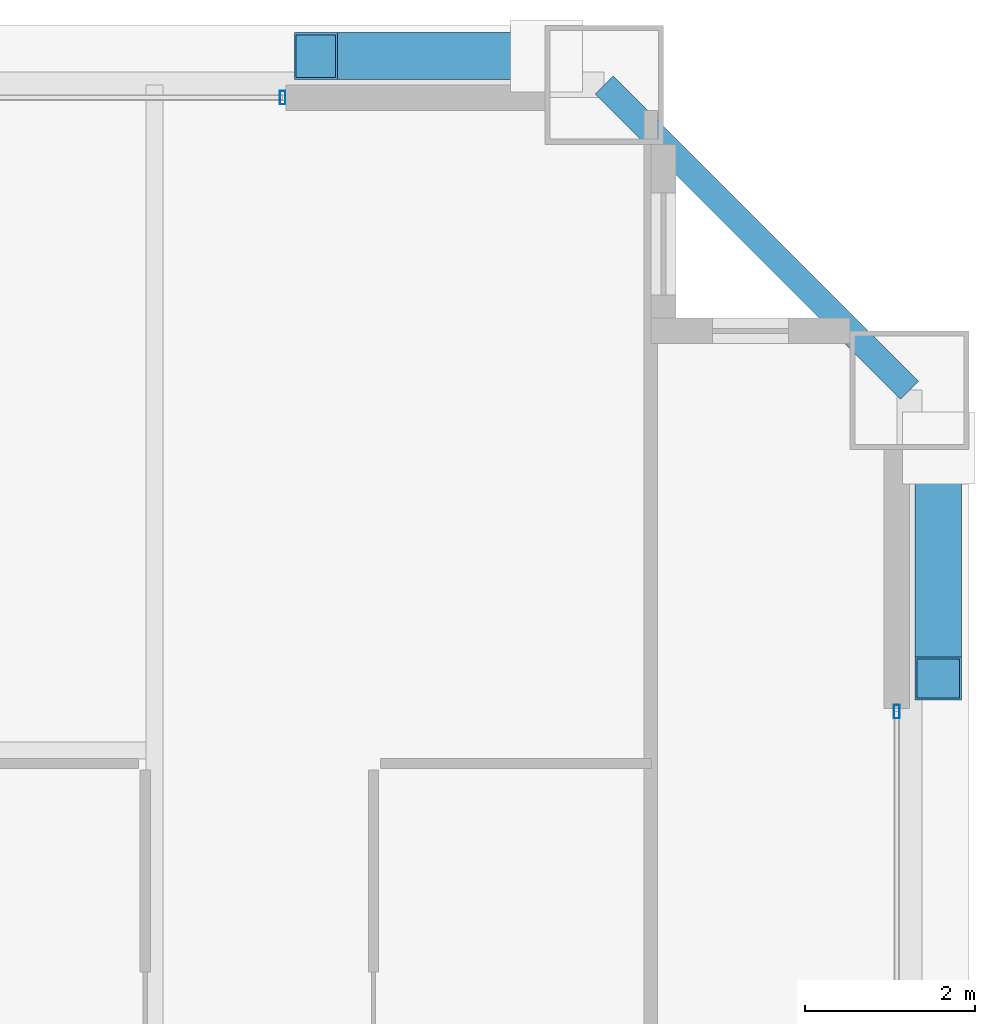
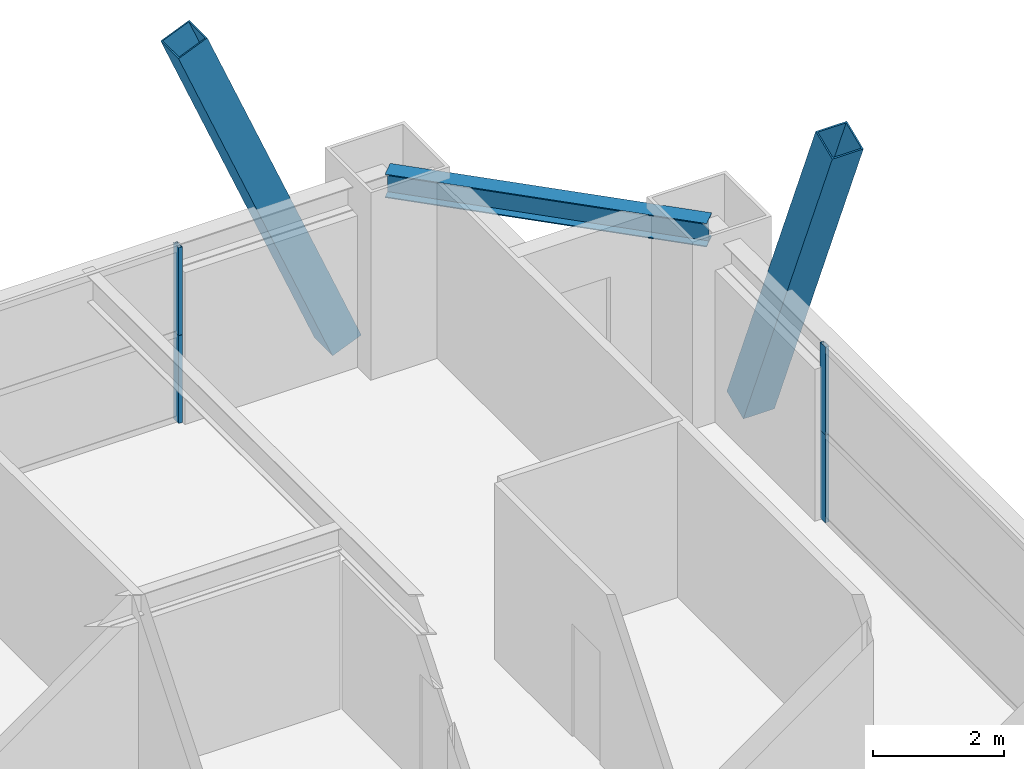
# One storey, part 35 of 42: 6 members, 1 beam, 2 elements without a shape of their own.
"""IFC4 building model written with IfcOpenShell, lengths in metres."""

import ifcopenshell
import ifcopenshell.guid

model = None  # the IFC model being written
_history = None  # IfcOwnerHistory: only IFC2X3 demands one
_inside = {}  # id of a spatial element -> (the spatial element, [elements in it])
_under = {}  # id of a project, library or spatial element -> (it, [spatial elements below it])
_declared = {}  # id of a project -> (the project, [libraries it declares])
_typed = {}  # id of a type object -> (the type object, [elements of that type])
_made_of = {}  # id of a material, layer set ... -> (it, [elements and type objects made of it])


def new_model(schema):
    """Start an empty IFC model of exactly this schema.

    Asked for "IFC4X3", IfcOpenShell would pick the latest addendum, in which some entities
    have other attributes; the version numbers below select the first issue.
    IFC2X3 requires an IfcOwnerHistory on every rooted entity: one is made here for all.
    """
    global model, _history
    if schema == "IFC4X3":
        model = ifcopenshell.file(schema_version=(4, 3, 0, 0))
    else:
        model = ifcopenshell.file(schema=schema)
    _inside.clear()
    _under.clear()
    _declared.clear()
    _typed.clear()
    _made_of.clear()
    _history = None
    if model.schema == "IFC2X3":
        org = make("IfcOrganization", Name="unknown")
        user = make(
            "IfcPersonAndOrganization",
            ThePerson=make("IfcPerson", FamilyName="unknown"),
            TheOrganization=org,
        )
        app = make(
            "IfcApplication",
            ApplicationDeveloper=org,
            Version="unknown",
            ApplicationFullName="unknown",
            ApplicationIdentifier="unknown",
        )
        _history = make(
            "IfcOwnerHistory",
            OwningUser=user,
            OwningApplication=app,
            ChangeAction="ADDED",
            CreationDate=0,
        )
    return model


def make(cls, **values):
    """One entity of the class cls with the attributes given. An attribute that is None is left unset."""
    return model.create_entity(
        cls, **{name: value for name, value in values.items() if value is not None}
    )


def rooted(cls, **values):
    """An entity with a GlobalId (a new one), such as an element, a storey or a relation."""
    return make(cls, GlobalId=ifcopenshell.guid.new(), OwnerHistory=_history, **values)


def si_unit(unit_type, name, prefix=None):
    """IfcSIUnit, for example si_unit("LENGTHUNIT", "METRE", prefix="MILLI")."""
    return make("IfcSIUnit", UnitType=unit_type, Prefix=prefix, Name=name)


def assignment(units):
    """IfcUnitAssignment: the units of a project."""
    return None if units is None else make("IfcUnitAssignment", Units=units)


def point(xyz):
    """IfcCartesianPoint."""
    return None if xyz is None else make("IfcCartesianPoint", Coordinates=xyz)


def direction(xyz):
    """IfcDirection."""
    return None if xyz is None else make("IfcDirection", DirectionRatios=xyz)


def frame(location, z_axis=None, x_axis=None):
    """IfcAxis2Placement3D, a coordinate frame: its origin and axes. An axis left out is left unset."""
    return make(
        "IfcAxis2Placement3D",
        Location=point(location),
        Axis=direction(z_axis),
        RefDirection=direction(x_axis),
    )


def frame_2d(location, x_axis=None):
    """IfcAxis2Placement2D, a coordinate frame in the plane: its origin and x axis."""
    return make(
        "IfcAxis2Placement2D", Location=point(location), RefDirection=direction(x_axis)
    )


def origin():
    """The frame at (0, 0, 0) with its axes left unset."""
    return frame((0.0, 0.0, 0.0))


def origin_2d():
    """The frame at (0, 0) in the plane with its x axis left unset."""
    return frame_2d((0.0, 0.0))


def place(relative_to, where):
    """IfcLocalPlacement: puts the frame where relative to a parent placement (None: the world)."""
    return make(
        "IfcLocalPlacement", PlacementRelTo=relative_to, RelativePlacement=where
    )


def context(
    kind, dimensions, precision=None, world=None, true_north=None, identifier=None
):
    """IfcGeometricRepresentationContext, for example the 3D "Model" context."""
    return make(
        "IfcGeometricRepresentationContext",
        ContextIdentifier=identifier,
        ContextType=kind,
        CoordinateSpaceDimension=dimensions,
        Precision=precision,
        WorldCoordinateSystem=world,
        TrueNorth=true_north,
    )


def subcontext(parent, identifier, kind, view, scale=None):
    """IfcGeometricRepresentationSubContext, for example "Body" below "Model"."""
    return make(
        "IfcGeometricRepresentationSubContext",
        ContextIdentifier=identifier,
        ContextType=kind,
        ParentContext=parent,
        TargetScale=scale,
        TargetView=view,
    )


def project(units=None, contexts=None):
    """IfcProject with its units and contexts."""
    return rooted(
        "IfcProject",
        Name="project",
        RepresentationContexts=contexts,
        UnitsInContext=assignment(units),
    )


def spatial(cls, under=None, at=None, **own):
    """A site, building, storey or space (cls), placed at a placement, below another one or the project."""
    s = rooted(cls, ObjectPlacement=at, **own)
    if under is not None:
        _under.setdefault(under.id(), (under, []))[1].append(s)
    return s


def profile(cls, at=None, kind="AREA", **sizes):
    """A parametric profile (cls). Its sizes go by their IFC names, for example OverallWidth=200.0."""
    return make(cls, ProfileType=kind, Position=at, **sizes)


def hollow_rectangle(**sizes):
    """IfcRectangleHollowProfileDef."""
    return profile("IfcRectangleHollowProfileDef", **sizes)


def i_section(**sizes):
    """IfcIShapeProfileDef."""
    return profile("IfcIShapeProfileDef", **sizes)


def extrude(swept, where, along, depth):
    """IfcExtrudedAreaSolid: the profile swept, set in the frame where, extruded along a direction by depth."""
    return make(
        "IfcExtrudedAreaSolid",
        SweptArea=swept,
        Position=where,
        ExtrudedDirection=direction(along),
        Depth=depth,
    )


def shape(context_of_items, identifier, shape_type, items):
    """IfcShapeRepresentation: the items that make up one representation, for example the "Body"."""
    return make(
        "IfcShapeRepresentation",
        ContextOfItems=context_of_items,
        RepresentationIdentifier=identifier,
        RepresentationType=shape_type,
        Items=items,
    )


def source(mapping_origin, context_of_items, identifier, shape_type, items):
    """IfcRepresentationMap: a shape defined once, which mapped items show again and again."""
    return make(
        "IfcRepresentationMap",
        MappingOrigin=mapping_origin,
        MappedRepresentation=shape(context_of_items, identifier, shape_type, items),
    )


def transform(
    local_origin,
    x_axis=None,
    y_axis=None,
    z_axis=None,
    scale=None,
    scale2=None,
    scale3=None,
    uniform=True,
):
    """IfcCartesianTransformationOperator3D, or its non-uniform kind. x_axis, y_axis, z_axis: its Axis1, 2, 3."""
    if uniform:
        return make(
            "IfcCartesianTransformationOperator3D",
            Axis1=direction(x_axis),
            Axis2=direction(y_axis),
            LocalOrigin=point(local_origin),
            Scale=scale,
            Axis3=direction(z_axis),
        )
    return make(
        "IfcCartesianTransformationOperator3DnonUniform",
        Axis1=direction(x_axis),
        Axis2=direction(y_axis),
        LocalOrigin=point(local_origin),
        Scale=scale,
        Axis3=direction(z_axis),
        Scale2=scale2,
        Scale3=scale3,
    )


def mapped(mapping_source, mapping_target):
    """IfcMappedItem: shows the shape of a source again, moved by a transform."""
    return make(
        "IfcMappedItem", MappingSource=mapping_source, MappingTarget=mapping_target
    )


def material(Name=None, Category=None):
    """IfcMaterial."""
    return make("IfcMaterial", Name=Name, Category=Category)


def layer(
    of_material, thickness, ventilated=None, Name=None, Category=None, Priority=None
):
    """IfcMaterialLayer: one layer of a wall or slab, of a material (None: an air gap)."""
    return make(
        "IfcMaterialLayer",
        Material=of_material,
        LayerThickness=thickness,
        IsVentilated=ventilated,
        Name=Name,
        Category=Category,
        Priority=Priority,
    )


def layer_set(layers, Name=None):
    """IfcMaterialLayerSet."""
    return make("IfcMaterialLayerSet", MaterialLayers=layers, LayerSetName=Name)


def material_profile(
    of_material, cross_section, Name=None, Category=None, Priority=None
):
    """IfcMaterialProfile: a cross section and its material."""
    return make(
        "IfcMaterialProfile",
        Name=Name,
        Material=of_material,
        Profile=cross_section,
        Priority=Priority,
        Category=Category,
    )


def profile_set(profiles, Name=None, composite=None):
    """IfcMaterialProfileSet."""
    return make(
        "IfcMaterialProfileSet",
        Name=Name,
        MaterialProfiles=profiles,
        CompositeProfile=composite,
    )


def made_of(thing, what):
    """Note that an element or type object is made of a material, layer set ...; save() writes the relation."""
    if what is not None:
        _made_of.setdefault(what.id(), (what, []))[1].append(thing)
    return thing


def type_object(cls, material=None, **own):
    """A type object (cls), such as IfcWallType, which elements share."""
    return made_of(rooted(cls, **own), material)


def element(
    cls,
    number,
    at=None,
    inside=None,
    cuts=None,
    type_object=None,
    material=None,
    context=None,
    identifier="Body",
    shape_type=None,
    held_by="IfcProductDefinitionShape",
    body=None,
    shapes=None,
    **own,
):
    """One element of the class cls, such as IfcWall. Its Tag is "e" and its number.

    at: its placement. inside: the storey or other place that contains it. cuts: it is an
    opening in that element (IfcRelVoidsElement). A single representation is given by context,
    identifier, shape_type and body (its items); several are given by shapes. held_by: the class
    of the entity that holds the representations. save() writes the other relations.
    """
    e = rooted(cls, Tag="e%d" % number, ObjectPlacement=at, **own)
    if body is not None:
        shapes = [shape(context, identifier, shape_type, body)]
    if shapes is not None:
        e.Representation = make(held_by, Representations=shapes)
    if inside is not None:
        _inside.setdefault(inside.id(), (inside, []))[1].append(e)
    if cuts is not None:
        rooted(
            "IfcRelVoidsElement", RelatingBuildingElement=cuts, RelatedOpeningElement=e
        )
    if type_object is not None:
        _typed.setdefault(type_object.id(), (type_object, []))[1].append(e)
    return made_of(e, material)


def aggregate(whole, parts):
    """IfcRelAggregates: a whole, such as a stair, and the parts it consists of."""
    return rooted("IfcRelAggregates", RelatingObject=whole, RelatedObjects=parts)


def save(model, path):
    """Write the relations noted so far, then the file.

    IfcRelAggregates (storeys below a building ...), IfcRelContainedInSpatialStructure (elements
    in a storey), IfcRelDefinesByType, IfcRelAssociatesMaterial and IfcRelDeclares: one each for
    every whole, place, type object, material and project.
    """
    for whole, parts in _under.values():
        aggregate(whole, parts)
    for where, things in _inside.values():
        rooted(
            "IfcRelContainedInSpatialStructure",
            RelatedElements=things,
            RelatingStructure=where,
        )
    for kind, things in _typed.values():
        rooted("IfcRelDefinesByType", RelatedObjects=things, RelatingType=kind)
    for what, things in _made_of.values():
        rooted("IfcRelAssociatesMaterial", RelatedObjects=things, RelatingMaterial=what)
    for by, libraries in _declared.values():
        rooted("IfcRelDeclares", RelatingContext=by, RelatedDefinitions=libraries)
    model.write(path)


model = new_model("IFC4")

# Units and contexts
model_context = context("Model", 3, precision=1e-05, world=origin(), true_north=direction((0.0, 1.0)))
body_context = subcontext(model_context, "Body", "Model", "MODEL_VIEW")
ifc_project = project(units=[si_unit("LENGTHUNIT", "METRE"), si_unit("AREAUNIT", "SQUARE_METRE"), si_unit("VOLUMEUNIT", "CUBIC_METRE"), si_unit("PLANEANGLEUNIT", "RADIAN"), si_unit("MASSUNIT", "GRAM", prefix="KILO"), si_unit("THERMODYNAMICTEMPERATUREUNIT", "KELVIN"), si_unit("POWERUNIT", "WATT")], contexts=[model_context])

# Site, building, storey
site_placement = place(None, origin())
site = spatial("IfcSite", under=ifc_project, at=site_placement, CompositionType="ELEMENT")
building_placement = place(site_placement, origin())
building = spatial("IfcBuilding", under=site, at=building_placement, Name="Yuzanri Waterfront Tower", CompositionType="ELEMENT")
storey_placement = place(building_placement, frame((0.0, 0.0, 184.5)))
storey = spatial("IfcBuildingStorey", under=building, at=storey_placement, Name="L48", CompositionType="ELEMENT", Elevation=184.5)

# Beam
ifc_material_1 = material(Name="Steel Q355B", Category="steel")
ifc_material_profile_1 = material_profile(ifc_material_1, i_section(OverallWidth=0.300048828125, OverallDepth=0.43994140625, WebThickness=0.010986328125, FlangeThickness=0.01806640625, at=origin_2d()), Name="HM 440x300x11x18")
ifc_profile_set_1 = profile_set([ifc_material_profile_1], Name="Steel Q355B")
beam_type = type_object("IfcBeamType", Name="Perimeter Spandrel Q355B HM 440x300", PredefinedType="SPANDREL", material=ifc_profile_set_1)
shared_shape_1 = source(origin(), body_context, "Body", "SweptSolid", [
    extrude(i_section(OverallWidth=0.300048828125, OverallDepth=0.43994140625, WebThickness=0.010986328125, FlangeThickness=0.01806640625, at=origin_2d()), origin(), (0.0, 0.0, 1.0), 5.091064453125),
])
beam_placement = place(storey_placement, frame((59.10009765625, 44.300048828125, 3.06005859375), z_axis=(-0.707130757816, 0.707082803744, 0.0), x_axis=(-0.707082803744, -0.707130757816, 0.0)))
element("IfcBeam", 1, at=beam_placement, inside=storey, type_object=beam_type, Name="L48 Perimeter Spandrel E3-N3", PredefinedType="SPANDREL", context=body_context, shape_type="MappedRepresentation", body=[
    mapped(shared_shape_1, transform((0.0, 0.0, 0.0), scale=1.0)),
])

# Members
ifc_material_2 = material(Name="Steel Q390GJC", Category="steel")
ifc_material_profile_2 = material_profile(ifc_material_2, hollow_rectangle(XDim=0.550048828125, YDim=0.550048828125, WallThickness=0.02490234375, at=origin_2d()), Name="RHS 550x550x25")
ifc_profile_set_2 = profile_set([ifc_material_profile_2], Name="Steel Q390GJC")
member_type_1 = type_object("IfcMemberType", Name="Mega Brace Mid Q390GJC RHS 550x550x25", PredefinedType="BRACE", material=ifc_profile_set_2)
shared_shape_2 = source(origin(), body_context, "Body", "SweptSolid", [
    extrude(hollow_rectangle(XDim=0.550048828125, YDim=0.550048828125, WallThickness=0.02490234375, at=origin_2d()), origin(), (0.0, 0.0, 1.0), 7.046142578125),
])
for number, where, z_axis, x_axis, name in (
    (2, (54.820068359375, 48.239990234375, 0.179931640625), (-0.386022211732, 0.0, 0.922489486146), (0.0, -1.0, 0.0), "L48-L49 Perimeter Mega-Brace N-R"),
    (3, (59.43994140625, 43.6201171875, 0.179931640625), (0.0, -0.386051696808, 0.922477147355), (1.0, 0.0, 0.0), "L48-L49 Perimeter Mega-Brace E-R"),
):
    element("IfcMember", number, at=place(storey_placement, frame(where, z_axis=z_axis, x_axis=x_axis)), inside=storey, type_object=member_type_1, Name=name, PredefinedType="BRACE", context=body_context, shape_type="MappedRepresentation", body=[
        mapped(shared_shape_2, transform((0.0, 0.0, 0.0), scale=1.0)),
    ])

# Curtain wall, members
ifc_material_3 = material(Name="Anodized Architectural Bronze", Category="metal")
ifc_layer = layer(ifc_material_3, 0.159912109375)
ifc_layer_set = layer_set([ifc_layer], Name="Anodized Architectural Bronze")
curtain_wall_type = type_object("IfcCurtainWallType", Name="Anodized Bronze Mid-Rise Residential Acoustic Unitized Curtain Wall 7200", PredefinedType="NOTDEFINED", material=ifc_layer_set)
curtain_wall_1_placement = place(storey_placement, origin())
curtain_wall_1 = element("IfcCurtainWall", 4, at=curtain_wall_1_placement, inside=storey, type_object=curtain_wall_type, Name="L48 Curtain Wall CW-L48-NR", PredefinedType="NOTDEFINED")
ifc_material_4 = material(Name="Anodized Architectural Bronze", Category="metal")
ifc_material_profile_3 = material_profile(ifc_material_4, hollow_rectangle(XDim=0.06494140625, YDim=0.159912109375, WallThickness=0.00341796875, at=origin_2d()), Name="CWM 65x160")
ifc_profile_set_3 = profile_set([ifc_material_profile_3], Name="Anodized Architectural Bronze")
member_type_2 = type_object("IfcMemberType", Name="Anodized Bronze Upper-Zone Curtain-Wall Mullion 65x160", PredefinedType="MULLION", material=ifc_profile_set_3)
shared_shape_3 = source(origin(), body_context, "Body", "SweptSolid", [
    extrude(hollow_rectangle(XDim=0.06494140625, YDim=0.159912109375, WallThickness=0.00341796875, at=origin_2d()), origin(), (0.0, 0.0, 1.0), 1.637939453125),
])
member_1_placement = place(storey_placement, frame((51.7099609375, 47.75, 0.0), z_axis=(0.0, 0.0, 1.0), x_axis=(1.0, 0.0, 0.0)))
member_1 = element("IfcMember", 5, at=member_1_placement, type_object=member_type_2, Name="CW-L48-NR Lower Mullion 02", PredefinedType="MULLION", context=body_context, shape_type="MappedRepresentation", body=[
    mapped(shared_shape_3, transform((0.0, 0.0, 0.0), scale=1.0)),
])
member_2_placement = place(storey_placement, frame((51.7099609375, 47.75, 1.64208984375), z_axis=(0.0, 0.0, 1.0), x_axis=(1.0, 0.0, 0.0)))
member_2 = element("IfcMember", 6, at=member_2_placement, type_object=member_type_2, Name="CW-L48-NR Upper Mullion 02", PredefinedType="MULLION", context=body_context, shape_type="MappedRepresentation", body=[
    mapped(shared_shape_3, transform((0.0, 0.0, 0.0), scale=1.0)),
])
aggregate(curtain_wall_1, [member_1, member_2])

curtain_wall_2_placement = place(storey_placement, origin())
curtain_wall_2 = element("IfcCurtainWall", 7, at=curtain_wall_2_placement, inside=storey, type_object=curtain_wall_type, Name="L48 Curtain Wall CW-L48-ER", PredefinedType="NOTDEFINED")
member_3_placement = place(storey_placement, frame((58.949951171875, 40.510009765625, 0.0), z_axis=(0.0, 0.0, 1.0), x_axis=(1.0, 0.0, 0.0)))
member_3 = element("IfcMember", 8, at=member_3_placement, type_object=member_type_2, Name="CW-L48-ER Lower Mullion 02", PredefinedType="MULLION", context=body_context, shape_type="MappedRepresentation", body=[
    mapped(shared_shape_3, transform((0.0, 0.0, 0.0), scale=1.0)),
])
member_4_placement = place(storey_placement, frame((58.949951171875, 40.510009765625, 1.64208984375), z_axis=(0.0, 0.0, 1.0), x_axis=(1.0, 0.0, 0.0)))
member_4 = element("IfcMember", 9, at=member_4_placement, type_object=member_type_2, Name="CW-L48-ER Upper Mullion 02", PredefinedType="MULLION", context=body_context, shape_type="MappedRepresentation", body=[
    mapped(shared_shape_3, transform((0.0, 0.0, 0.0), scale=1.0)),
])
aggregate(curtain_wall_2, [member_3, member_4])

save(model, "model.ifc")
